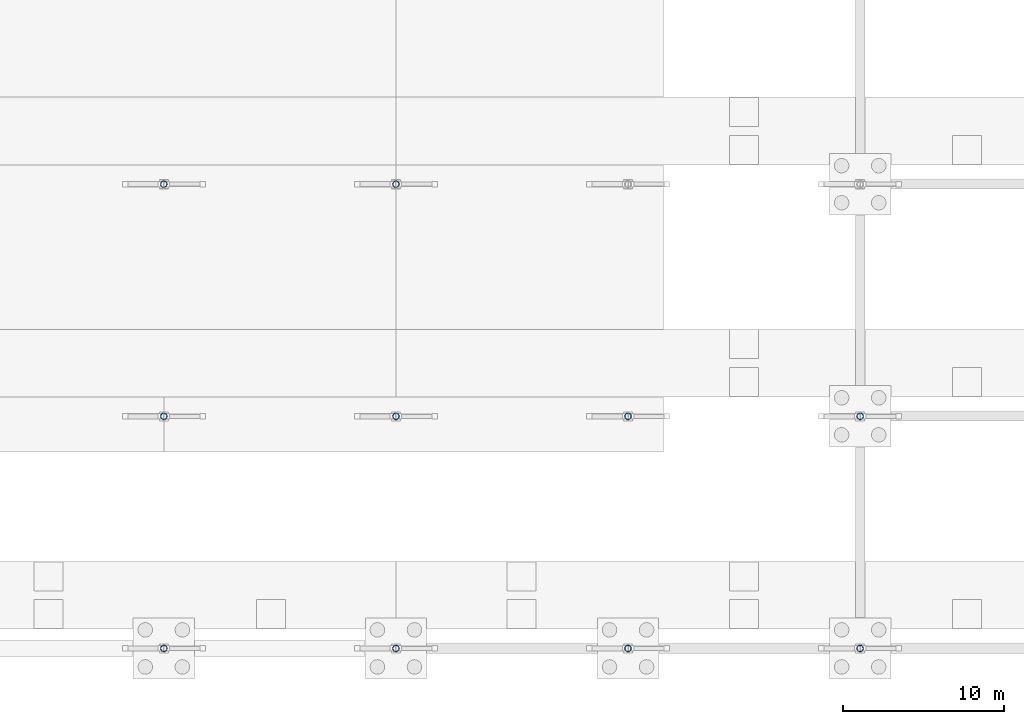
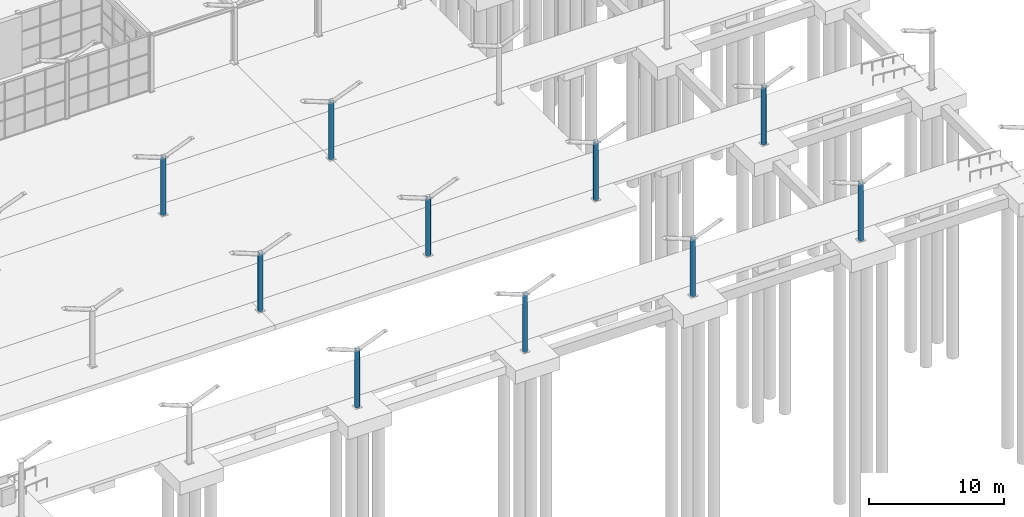
# One storey, part 15 of 75: 10 columns.
"""IFC4 building model written with IfcOpenShell, lengths in metres."""

from ifc_helpers import new_model, si_unit, direction, frame, origin, origin_2d, place, context, subcontext, project, spatial, hollow_circle, extrude, material, material_profile, profile_set, type_object, element, save


model = new_model("IFC4")

# Units and contexts
model_context = context("Model", 3, precision=1e-05, world=origin(), true_north=direction((0.0, 1.0)))
body_context = subcontext(model_context, "Body", "Model", "MODEL_VIEW")
ifc_project = project(units=[si_unit("LENGTHUNIT", "METRE"), si_unit("AREAUNIT", "SQUARE_METRE"), si_unit("VOLUMEUNIT", "CUBIC_METRE"), si_unit("PLANEANGLEUNIT", "RADIAN"), si_unit("MASSUNIT", "GRAM", prefix="KILO")], contexts=[model_context])

# Site, building, storey
site_placement = place(None, origin())
site = spatial("IfcSite", under=ifc_project, at=site_placement, CompositionType="ELEMENT")
building_placement = place(site_placement, origin())
building = spatial("IfcBuilding", under=site, at=building_placement, Name="Leyfeld Transit Interchange", CompositionType="ELEMENT")
storey_placement = place(building_placement, origin())
storey = spatial("IfcBuildingStorey", under=building, at=storey_placement, Name="L00", CompositionType="ELEMENT", Elevation=0.0)

# Columns
ifc_material = material(Name="Steel S355J2", Category="steel")
ifc_material_profile = material_profile(ifc_material, hollow_circle(Radius=0.203125, WallThickness=0.02001953125, at=origin_2d()), Name="CHS 406.4x20")
ifc_profile_set = profile_set([ifc_material_profile], Name="Steel S355J2")
column_type = type_object("IfcColumnType", Name="COL-STL-CHS406", PredefinedType="COLUMN", material=ifc_profile_set)
for number, where, z_axis, x_axis, name in (
    (1, (129.60009765625, 0.0, 0.0), (0.0, 0.0, 1.0), (1.0, 0.0, 0.0), "Column COL-L00-1296_0000"),
    (2, (129.60009765625, 14.39990234375, 0.0), (0.0, 0.0, 1.0), (1.0, 0.0, 0.0), "Column COL-L00-1296_0144"),
    (3, (129.60009765625, 28.800048828125, 0.0), (0.0, 0.0, 1.0), (1.0, 0.0, 0.0), "Column COL-L00-1296_0288"),
    (4, (144.0, 0.0, 0.0), (0.0, 0.0, 1.0), (1.0, 0.0, 0.0), "Column COL-L00-1440_0000"),
    (5, (144.0, 14.39990234375, 0.0), (0.0, 0.0, 1.0), (1.0, 0.0, 0.0), "Column COL-L00-1440_0144"),
    (6, (144.0, 28.800048828125, 0.0), (0.0, 0.0, 1.0), (1.0, 0.0, 0.0), "Column COL-L00-1440_0288"),
    (7, (158.39990234375, 0.0, 0.0), (0.0, 0.0, 1.0), (1.0, 0.0, 0.0), "Column COL-L00-1584_0000"),
    (8, (158.39990234375, 14.39990234375, 0.0), (0.0, 0.0, 1.0), (1.0, 0.0, 0.0), "Column COL-L00-1584_0144"),
    (9, (172.800048828125, 0.0, 0.0), (0.0, 0.0, 1.0), (1.0, 0.0, 0.0), "Column COL-L00-1728_0000"),
    (10, (172.800048828125, 14.39990234375, 0.0), (0.0, 0.0, 1.0), (1.0, 0.0, 0.0), "Column COL-L00-1728_0144"),
):
    element("IfcColumn", number, at=place(storey_placement, frame(where, z_axis=z_axis, x_axis=x_axis)), inside=storey, type_object=column_type, Name=name, PredefinedType="COLUMN", context=body_context, shape_type="SweptSolid", body=[
        extrude(hollow_circle(Radius=0.203125, WallThickness=0.02001953125, at=origin_2d()), origin(), (0.0, 0.0, 1.0), 5.199951171875),
    ])

save(model, "model.ifc")
